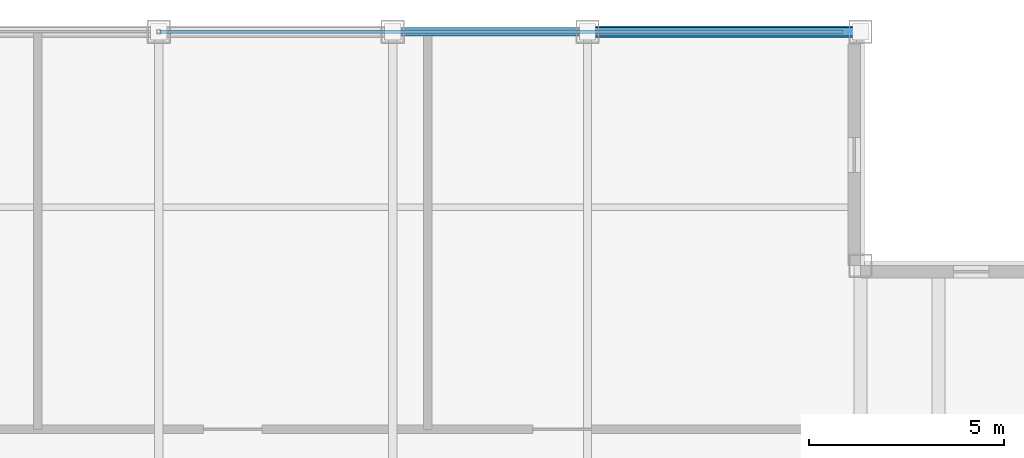
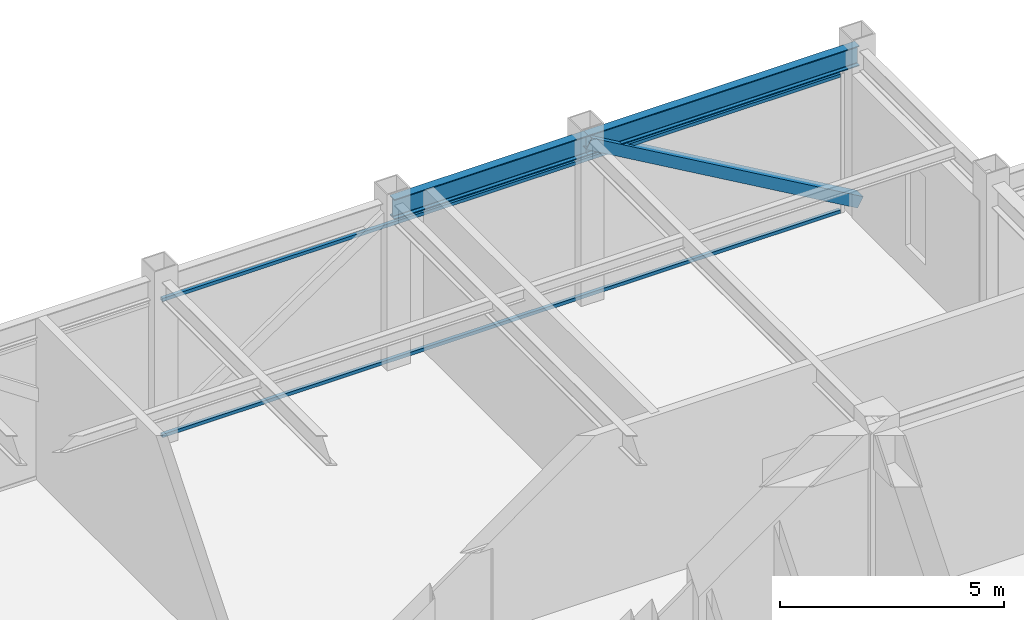
# One storey, part 21 of 27: 3 members, 2 beams, 1 element without a shape of its own.
"""IFC4 building model written with IfcOpenShell, lengths in metres."""

from ifc_helpers import new_model, si_unit, direction, frame, origin, origin_2d, place, context, subcontext, project, spatial, hollow_rectangle, i_section, extrude, source, transform, mapped, material, material_profile, profile_set, type_object, element, aggregate, save


model = new_model("IFC4")

# Units and contexts
model_context = context("Model", 3, precision=1e-05, world=origin(), true_north=direction((0.0, 1.0)))
body_context = subcontext(model_context, "Body", "Model", "MODEL_VIEW")
ifc_project = project(units=[si_unit("LENGTHUNIT", "METRE"), si_unit("AREAUNIT", "SQUARE_METRE"), si_unit("VOLUMEUNIT", "CUBIC_METRE"), si_unit("PLANEANGLEUNIT", "RADIAN"), si_unit("MASSUNIT", "GRAM", prefix="KILO")], contexts=[model_context])

# Site, building, storey
site_placement = place(None, origin())
site = spatial("IfcSite", under=ifc_project, at=site_placement, CompositionType="ELEMENT")
building_placement = place(site_placement, origin())
building = spatial("IfcBuilding", under=site, at=building_placement, Name="Khorayat Bourse Tower", CompositionType="ELEMENT")
storey_placement = place(building_placement, frame((0.0, 0.0, 394.699951171875)))
storey = spatial("IfcBuildingStorey", under=building, at=storey_placement, Name="L93", CompositionType="ELEMENT", Elevation=394.699951171875)

# Beams
ifc_material_1 = material(Name="Steel ASTM A992 Grade 50", Category="steel")
ifc_material_profile_1 = material_profile(ifc_material_1, i_section(OverallWidth=0.214111328125, OverallDepth=0.549072265625, WebThickness=0.0146484375, FlangeThickness=0.023681640625, FilletRadius=0.013916015625, at=origin_2d()), Name="W530X138")
ifc_profile_set_1 = profile_set([ifc_material_profile_1], Name="Steel ASTM A992 Grade 50")
beam_type = type_object("IfcBeamType", Name="BM-SPAN-530", PredefinedType="SPANDREL", material=ifc_profile_set_1)
shared_shape_1 = source(origin(), body_context, "Body", "SweptSolid", [
    extrude(i_section(OverallWidth=0.214111328125, OverallDepth=0.549072265625, WebThickness=0.0146484375, FlangeThickness=0.023681640625, FilletRadius=0.013916015625, at=origin_2d()), origin(), (0.0, 0.0, 1.0), 5.0),
])
beam_1_placement = place(storey_placement, frame((6.0, 24.0, 4.175537109375), z_axis=(1.0, 0.0, 0.0), x_axis=(0.0, 1.0, 0.0)))
element("IfcBeam", 1, at=beam_1_placement, inside=storey, type_object=beam_type, Name="L93 BM-SPAN-530 BM-L93-SPN-041", PredefinedType="SPANDREL", context=body_context, shape_type="MappedRepresentation", body=[
    mapped(shared_shape_1, transform((0.0, 0.0, 0.0), scale=1.0)),
])
shared_shape_2 = source(origin(), body_context, "Body", "SweptSolid", [
    extrude(i_section(OverallWidth=0.214111328125, OverallDepth=0.549072265625, WebThickness=0.0146484375, FlangeThickness=0.023681640625, FilletRadius=0.013916015625, at=origin_2d()), origin(), (0.0, 0.0, 1.0), 7.0),
])
beam_2_placement = place(storey_placement, frame((11.0, 24.0, 4.175537109375), z_axis=(1.0, 0.0, 0.0), x_axis=(0.0, 1.0, 0.0)))
element("IfcBeam", 2, at=beam_2_placement, inside=storey, type_object=beam_type, Name="L93 BM-SPAN-530 BM-L93-SPN-040", PredefinedType="SPANDREL", context=body_context, shape_type="MappedRepresentation", body=[
    mapped(shared_shape_2, transform((0.0, 0.0, 0.0), scale=1.0)),
])

# Member
ifc_material_2 = material(Name="Steel EN 10025-2 S355J2", Category="steel")
ifc_material_profile_2 = material_profile(ifc_material_2, hollow_rectangle(XDim=0.300048828125, YDim=0.300048828125, WallThickness=0.01611328125, at=origin_2d()), Name="HSS 300x300x16")
ifc_profile_set_2 = profile_set([ifc_material_profile_2], Name="Steel EN 10025-2 S355J2")
member_type_1 = type_object("IfcMemberType", Name="MBR-CROWN-300", PredefinedType="USERDEFINED", material=ifc_profile_set_2)
shared_shape_3 = source(origin(), body_context, "Body", "SweptSolid", [
    extrude(hollow_rectangle(XDim=0.300048828125, YDim=0.300048828125, WallThickness=0.01611328125, at=origin_2d()), origin(), (0.0, 0.0, 1.0), 8.087158203125),
])
member_1_placement = place(storey_placement, frame((11.0, 24.0, 4.25), z_axis=(0.865564731219, 0.0, -0.500797060763), x_axis=(0.0, 1.0, 0.0)))
element("IfcMember", 3, at=member_1_placement, inside=storey, type_object=member_type_1, Name="L93 Lantern Crown Frame Member 08", ObjectType="CROWN FRAME", PredefinedType="USERDEFINED", context=body_context, shape_type="MappedRepresentation", body=[
    mapped(shared_shape_3, transform((0.0, 0.0, 0.0), scale=1.0)),
])

# Curtain wall, members
ifc_material_3 = material(Name="Aluminium EN AW-6063 T6", Category="aluminium")
curtain_wall_type = type_object("IfcCurtainWallType", Name="CW-SYS-07", PredefinedType="NOTDEFINED", material=ifc_material_3)
curtain_wall_placement = place(storey_placement, origin())
curtain_wall = element("IfcCurtainWall", 4, at=curtain_wall_placement, inside=storey, type_object=curtain_wall_type, Name="L93 Curtain Wall CW-L93-N1", PredefinedType="NOTDEFINED")
ifc_material_profile_3 = material_profile(ifc_material_3, hollow_rectangle(XDim=0.090087890625, YDim=0.090087890625, WallThickness=0.00390625, at=origin_2d()), Name="ALU 90x90x4")
ifc_profile_set_3 = profile_set([ifc_material_profile_3], Name="Aluminium EN AW-6063 T6")
member_type_2 = type_object("IfcMemberType", Name="CWT-HORZ-90", PredefinedType="USERDEFINED", material=ifc_profile_set_3)
shared_shape_4 = source(origin(), body_context, "Body", "SweptSolid", [
    extrude(hollow_rectangle(XDim=0.090087890625, YDim=0.090087890625, WallThickness=0.00390625, at=origin_2d()), origin(), (0.0, 0.0, 1.0), 17.5),
])
member_2_placement = place(storey_placement, frame((0.050048828125, 24.0, 0.045166015625), z_axis=(1.0, 0.0, 0.0), x_axis=(0.0, 1.0, 0.0)))
member_2 = element("IfcMember", 5, at=member_2_placement, type_object=member_type_2, Name="CW-L93-N1 Horizontal Transom 2-1", ObjectType="TRANSOM", PredefinedType="USERDEFINED", context=body_context, shape_type="MappedRepresentation", body=[
    mapped(shared_shape_4, transform((0.0, 0.0, 0.0), scale=1.0)),
])
member_3_placement = place(storey_placement, frame((0.050048828125, 24.0, 3.755126953125), z_axis=(1.0, 0.0, 0.0), x_axis=(0.0, 1.0, 0.0)))
member_3 = element("IfcMember", 6, at=member_3_placement, type_object=member_type_2, Name="CW-L93-N1 Horizontal Transom 2-2", ObjectType="TRANSOM", PredefinedType="USERDEFINED", context=body_context, shape_type="MappedRepresentation", body=[
    mapped(shared_shape_4, transform((0.0, 0.0, 0.0), scale=1.0)),
])
aggregate(curtain_wall, [member_2, member_3])

save(model, "model.ifc")
